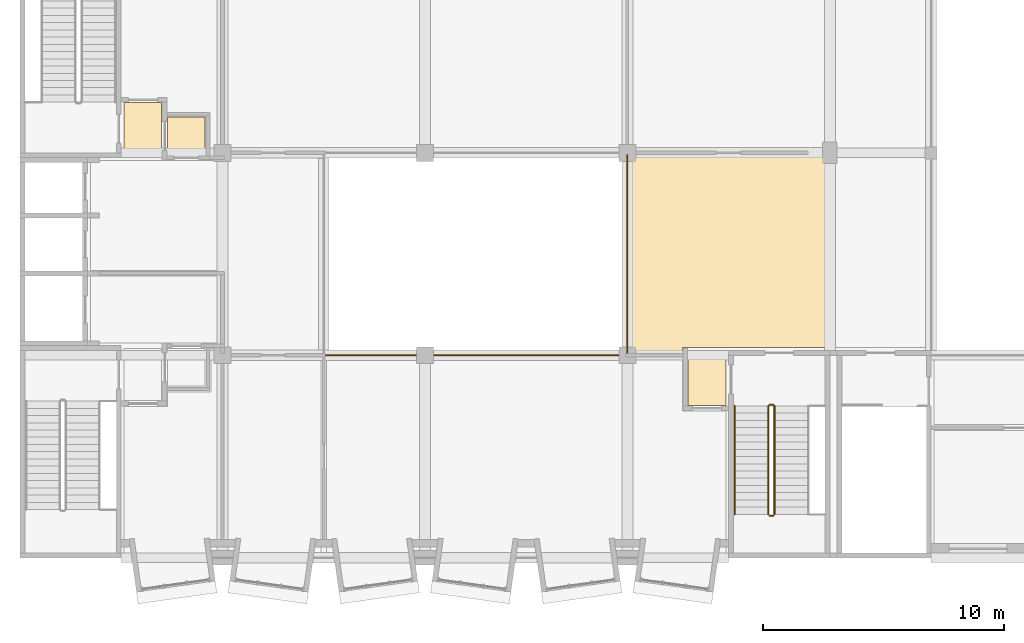
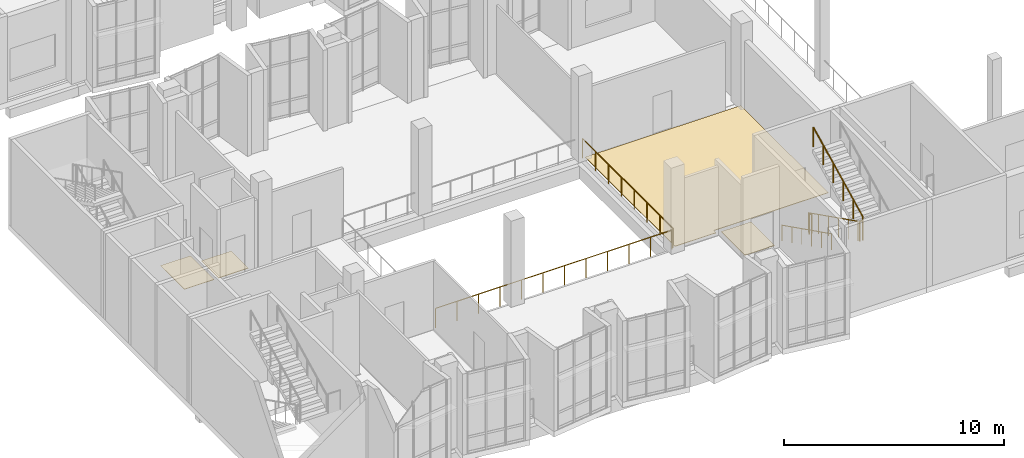
# One storey, part 85 of 100: 7 railings, 4 coverings.
"""IFC4 building model written with IfcOpenShell, lengths in metres."""

from ifc_helpers import new_model, si_unit, direction, frame, origin, origin_2d, place, context, subcontext, project, spatial, polyline, circle, outline, extrude, material, layer, layer_set, type_object, element, save


model = new_model("IFC4")

# Units and contexts
model_context = context("Model", 3, precision=1e-05, world=origin(), true_north=direction((0.0, 1.0)))
body_context = subcontext(model_context, "Body", "Model", "MODEL_VIEW")
ifc_project = project(units=[si_unit("LENGTHUNIT", "METRE"), si_unit("AREAUNIT", "SQUARE_METRE"), si_unit("VOLUMEUNIT", "CUBIC_METRE"), si_unit("PLANEANGLEUNIT", "RADIAN"), si_unit("MASSUNIT", "GRAM", prefix="KILO")], contexts=[model_context])

# Site, building, storey
site_placement = place(None, origin())
site = spatial("IfcSite", under=ifc_project, at=site_placement, CompositionType="ELEMENT")
building_placement = place(site_placement, origin())
building = spatial("IfcBuilding", under=site, at=building_placement, Name="Kiln Court Media Centre", CompositionType="ELEMENT")
storey_placement = place(building_placement, frame((0.0, 0.0, 15.0)))
storey = spatial("IfcBuildingStorey", under=building, at=storey_placement, Name="L03", CompositionType="ELEMENT", Elevation=15.0)

# Coverings
ifc_material_1 = material(Name="Terrazzo")
ifc_layer = layer(ifc_material_1, 0.02490234375)
ifc_layer_set = layer_set([ifc_layer], Name="Polished terrazzo floor finish 25")
covering_type = type_object("IfcCoveringType", Name="Polished terrazzo floor finish 25", PredefinedType="FLOORING", material=ifc_layer_set)
covering_1_placement = place(storey_placement, origin())
element("IfcCovering", 1, at=covering_1_placement, inside=storey, type_object=covering_type, Name="Stair 3 Vestibule floor finish", PredefinedType="FLOORING", context=body_context, shape_type="SweptSolid", body=[
    extrude(outline(polyline([(27.719970703125, 6.320068359375), (29.280029296875, 6.320068359375), (29.280029296875, 8.47998046875), (27.719970703125, 8.47998046875), (27.719970703125, 6.320068359375)])), origin(), (0.0, 0.0, 1.0), 0.02490234375),
])
covering_2_placement = place(storey_placement, origin())
element("IfcCovering", 2, at=covering_2_placement, inside=storey, type_object=covering_type, Name="East Lobby floor finish", PredefinedType="FLOORING", context=body_context, shape_type="SweptSolid", body=[
    extrude(outline(polyline([(25.320068359375, 8.52001953125), (27.47998046875, 8.52001953125), (27.47998046875, 8.719970703125), (33.47998046875, 8.719970703125), (33.47998046875, 16.679931640625), (25.320068359375, 16.679931640625), (25.320068359375, 8.52001953125)])), origin(), (0.0, 0.0, 1.0), 0.02490234375),
])
covering_3_placement = place(storey_placement, origin())
element("IfcCovering", 3, at=covering_3_placement, inside=storey, type_object=covering_type, Name="Stair 2 Vestibule floor finish", PredefinedType="FLOORING", context=body_context, shape_type="SweptSolid", body=[
    extrude(outline(polyline([(4.320068359375, 16.719970703125), (5.8798828125, 16.719970703125), (5.8798828125, 18.8798828125), (4.320068359375, 18.8798828125), (4.320068359375, 16.719970703125)])), origin(), (0.0, 0.0, 1.0), 0.02490234375),
])
covering_4_placement = place(storey_placement, origin())
element("IfcCovering", 4, at=covering_4_placement, inside=storey, type_object=covering_type, Name="Wheelchair Refuge floor finish", PredefinedType="FLOORING", context=body_context, shape_type="SweptSolid", body=[
    extrude(outline(polyline([(6.1201171875, 16.719970703125), (7.679931640625, 16.719970703125), (7.679931640625, 18.280029296875), (6.1201171875, 18.280029296875), (6.1201171875, 16.719970703125)])), origin(), (0.0, 0.0, 1.0), 0.02490234375),
])

# Railings
ifc_material_2 = material(Name="Steel S275", Category="steel")
railing_type_1 = type_object("IfcRailingType", Name="Steel S275 balustrade guard 1100", PredefinedType="GUARDRAIL", material=ifc_material_2)
railing_1_placement = place(storey_placement, frame((12.695068359375, 8.39990234375, 0.0)))
element("IfcRailing", 5, at=railing_1_placement, inside=storey, type_object=railing_type_1, Name="L03 void edge guard", PredefinedType="GUARDRAIL", context=body_context, shape_type="SweptSolid", body=[
    extrude(circle(Radius=0.02392578125, at=origin_2d()), frame((0.0, 0.0, 1.076171875), z_axis=(1.0, 0.0, 0.0), x_axis=(0.0, 1.0, 0.0)), (0.0, 0.0, 1.0), 12.409912109375),
    extrude(circle(Radius=0.02099609375, at=origin_2d()), origin(), (0.0, 0.0, 1.0), 1.052001953125),
    extrude(circle(Radius=0.02099609375, at=origin_2d()), frame((1.128173828125, 0.0, 0.0)), (0.0, 0.0, 1.0), 1.052001953125),
    extrude(circle(Radius=0.02099609375, at=origin_2d()), frame((2.25634765625, 0.0, 0.0)), (0.0, 0.0, 1.0), 1.052001953125),
    extrude(circle(Radius=0.02099609375, at=origin_2d()), frame((3.384521484375, 0.0, 0.0)), (0.0, 0.0, 1.0), 1.052001953125),
    extrude(circle(Radius=0.02099609375, at=origin_2d()), frame((4.5126953125, 0.0, 0.0)), (0.0, 0.0, 1.0), 1.052001953125),
    extrude(circle(Radius=0.02099609375, at=origin_2d()), frame((5.640869140625, 0.0, 0.0)), (0.0, 0.0, 1.0), 1.052001953125),
    extrude(circle(Radius=0.02099609375, at=origin_2d()), frame((6.76904296875, 0.0, 0.0)), (0.0, 0.0, 1.0), 1.052001953125),
    extrude(circle(Radius=0.02099609375, at=origin_2d()), frame((7.897216796875, 0.0, 0.0)), (0.0, 0.0, 1.0), 1.052001953125),
    extrude(circle(Radius=0.02099609375, at=origin_2d()), frame((9.025390625, 0.0, 0.0)), (0.0, 0.0, 1.0), 1.052001953125),
    extrude(circle(Radius=0.02099609375, at=origin_2d()), frame((10.153564453125, 0.0, 0.0)), (0.0, 0.0, 1.0), 1.052001953125),
    extrude(circle(Radius=0.02099609375, at=origin_2d()), frame((11.28173828125, 0.0, 0.0)), (0.0, 0.0, 1.0), 1.052001953125),
    extrude(circle(Radius=0.02099609375, at=origin_2d()), frame((12.409912109375, 0.0, 0.0)), (0.0, 0.0, 1.0), 1.052001953125),
])
railing_2_placement = place(storey_placement, frame((25.199951171875, 8.4951171875, 0.0)))
element("IfcRailing", 6, at=railing_2_placement, inside=storey, type_object=railing_type_1, Name="L03 void edge guard", PredefinedType="GUARDRAIL", context=body_context, shape_type="SweptSolid", body=[
    extrude(circle(Radius=0.02392578125, at=origin_2d()), frame((0.0, 0.0, 1.076171875), z_axis=(0.0, 1.0, 0.0), x_axis=(-1.0, 0.0, 0.0)), (0.0, 0.0, 1.0), 8.2099609375),
    extrude(circle(Radius=0.02099609375, at=origin_2d()), origin(), (0.0, 0.0, 1.0), 1.052001953125),
    extrude(circle(Radius=0.02099609375, at=origin_2d()), frame((0.0, 1.1728515625, 0.0)), (0.0, 0.0, 1.0), 1.052001953125),
    extrude(circle(Radius=0.02099609375, at=origin_2d()), frame((0.0, 2.345703125, 0.0)), (0.0, 0.0, 1.0), 1.052001953125),
    extrude(circle(Radius=0.02099609375, at=origin_2d()), frame((0.0, 3.5185546875, 0.0)), (0.0, 0.0, 1.0), 1.052001953125),
    extrude(circle(Radius=0.02099609375, at=origin_2d()), frame((0.0, 4.69140625, 0.0)), (0.0, 0.0, 1.0), 1.052001953125),
    extrude(circle(Radius=0.02099609375, at=origin_2d()), frame((0.0, 5.8642578125, 0.0)), (0.0, 0.0, 1.0), 1.052001953125),
    extrude(circle(Radius=0.02099609375, at=origin_2d()), frame((0.0, 7.037109375, 0.0)), (0.0, 0.0, 1.0), 1.052001953125),
    extrude(circle(Radius=0.02099609375, at=origin_2d()), frame((0.0, 8.2099609375, 0.0)), (0.0, 0.0, 1.0), 1.052001953125),
])
ifc_material_3 = material(Name="Steel S275", Category="steel")
railing_type_2 = type_object("IfcRailingType", Name="Steel S275 stair guard 1100", PredefinedType="GUARDRAIL", material=ifc_material_3)
railing_3_placement = place(storey_placement, frame((31.050048828125, 6.300048828125, 0.14990234375)))
element("IfcRailing", 7, at=railing_3_placement, inside=storey, type_object=railing_type_2, Name="ST-03 stair guard", PredefinedType="GUARDRAIL", context=body_context, shape_type="SweptSolid", body=[
    extrude(circle(Radius=0.02392578125, at=origin_2d()), frame((0.0, 0.0, 1.076171875), z_axis=(0.0, -0.894427191, 0.4472135955), x_axis=(1.0, 0.0, 0.0)), (0.0, 0.0, 1.0), 5.03125),
    extrude(circle(Radius=0.02099609375, at=origin_2d()), origin(), (0.0, 0.0, 1.0), 1.052001953125),
    extrude(circle(Radius=0.02099609375, at=origin_2d()), frame((0.0, -0.89990234375, 0.449951171875)), (0.0, 0.0, 1.0), 1.052001953125),
    extrude(circle(Radius=0.02099609375, at=origin_2d()), frame((0.0, -1.800048828125, 0.89990234375)), (0.0, 0.0, 1.0), 1.052001953125),
    extrude(circle(Radius=0.02099609375, at=origin_2d()), frame((0.0, -2.699951171875, 1.35009765625)), (0.0, 0.0, 1.0), 1.052001953125),
    extrude(circle(Radius=0.02099609375, at=origin_2d()), frame((0.0, -3.60009765625, 1.800048828125)), (0.0, 0.0, 1.0), 1.052001953125),
    extrude(circle(Radius=0.02099609375, at=origin_2d()), frame((0.0, -4.5, 2.25)), (0.0, 0.0, 1.0), 1.052001953125),
])
railing_4_placement = place(storey_placement, frame((31.10009765625, 1.75, 2.39990234375)))
element("IfcRailing", 8, at=railing_4_placement, inside=storey, type_object=railing_type_2, Name="ST-03 stair guard", PredefinedType="GUARDRAIL", context=body_context, shape_type="SweptSolid", body=[
    extrude(circle(Radius=0.02392578125, at=origin_2d()), frame((0.0, 0.0, 1.076171875), z_axis=(1.0, 0.0, 0.0), x_axis=(0.0, 1.0, 0.0)), (0.0, 0.0, 1.0), 0.14990234375),
    extrude(circle(Radius=0.02099609375, at=origin_2d()), origin(), (0.0, 0.0, 1.0), 1.052001953125),
    extrude(circle(Radius=0.02099609375, at=origin_2d()), frame((0.14990234375, 0.0, 0.0)), (0.0, 0.0, 1.0), 1.052001953125),
])
railing_5_placement = place(storey_placement, frame((31.300048828125, 1.800048828125, 2.550048828125)))
element("IfcRailing", 9, at=railing_5_placement, inside=storey, type_object=railing_type_2, Name="ST-03 stair guard", PredefinedType="GUARDRAIL", context=body_context, shape_type="SweptSolid", body=[
    extrude(circle(Radius=0.02392578125, at=origin_2d()), frame((0.0, 0.0, 1.076171875), z_axis=(0.0, 0.894427191, 0.4472135955), x_axis=(-1.0, 0.0, 0.0)), (0.0, 0.0, 1.0), 5.03125),
    extrude(circle(Radius=0.02099609375, at=origin_2d()), origin(), (0.0, 0.0, 1.0), 1.052001953125),
    extrude(circle(Radius=0.02099609375, at=origin_2d()), frame((0.0, 0.89990234375, 0.449951171875)), (0.0, 0.0, 1.0), 1.052001953125),
    extrude(circle(Radius=0.02099609375, at=origin_2d()), frame((0.0, 1.800048828125, 0.89990234375)), (0.0, 0.0, 1.0), 1.052001953125),
    extrude(circle(Radius=0.02099609375, at=origin_2d()), frame((0.0, 2.699951171875, 1.35009765625)), (0.0, 0.0, 1.0), 1.052001953125),
    extrude(circle(Radius=0.02099609375, at=origin_2d()), frame((0.0, 3.60009765625, 1.800048828125)), (0.0, 0.0, 1.0), 1.052001953125),
    extrude(circle(Radius=0.02099609375, at=origin_2d()), frame((0.0, 4.5, 2.25)), (0.0, 0.0, 1.0), 1.052001953125),
])
railing_6_placement = place(storey_placement, frame((31.10009765625, 6.35009765625, 0.0)))
element("IfcRailing", 10, at=railing_6_placement, inside=storey, type_object=railing_type_2, Name="ST-03 stair guard", PredefinedType="GUARDRAIL", context=body_context, shape_type="SweptSolid", body=[
    extrude(circle(Radius=0.02392578125, at=origin_2d()), frame((0.0, 0.0, 1.076171875), z_axis=(1.0, 0.0, 0.0), x_axis=(0.0, 1.0, 0.0)), (0.0, 0.0, 1.0), 0.14990234375),
    extrude(circle(Radius=0.02099609375, at=origin_2d()), origin(), (0.0, 0.0, 1.0), 1.052001953125),
    extrude(circle(Radius=0.02099609375, at=origin_2d()), frame((0.14990234375, 0.0, 0.0)), (0.0, 0.0, 1.0), 1.052001953125),
])
ifc_material_4 = material(Name="Steel S275", Category="steel")
railing_type_3 = type_object("IfcRailingType", Name="Steel S275 stair handrail 900", PredefinedType="HANDRAIL", material=ifc_material_4)
railing_7_placement = place(storey_placement, frame((29.64990234375, 6.300048828125, 0.14990234375)))
element("IfcRailing", 11, at=railing_7_placement, inside=storey, type_object=railing_type_3, Name="ST-03 stair handrail", PredefinedType="HANDRAIL", context=body_context, shape_type="SweptSolid", body=[
    extrude(circle(Radius=0.02392578125, at=origin_2d()), frame((0.0, 0.0, 0.8759765625), z_axis=(0.0, -0.894427191, 0.4472135955), x_axis=(1.0, 0.0, 0.0)), (0.0, 0.0, 1.0), 5.03125),
    extrude(circle(Radius=0.02099609375, at=origin_2d()), origin(), (0.0, 0.0, 1.0), 0.851806640625),
    extrude(circle(Radius=0.02099609375, at=origin_2d()), frame((0.0, -0.89990234375, 0.449951171875)), (0.0, 0.0, 1.0), 0.851806640625),
    extrude(circle(Radius=0.02099609375, at=origin_2d()), frame((0.0, -1.800048828125, 0.89990234375)), (0.0, 0.0, 1.0), 0.851806640625),
    extrude(circle(Radius=0.02099609375, at=origin_2d()), frame((0.0, -2.699951171875, 1.35009765625)), (0.0, 0.0, 1.0), 0.851806640625),
    extrude(circle(Radius=0.02099609375, at=origin_2d()), frame((0.0, -3.60009765625, 1.800048828125)), (0.0, 0.0, 1.0), 0.851806640625),
    extrude(circle(Radius=0.02099609375, at=origin_2d()), frame((0.0, -4.5, 2.25)), (0.0, 0.0, 1.0), 0.851806640625),
])

save(model, "model.ifc")
